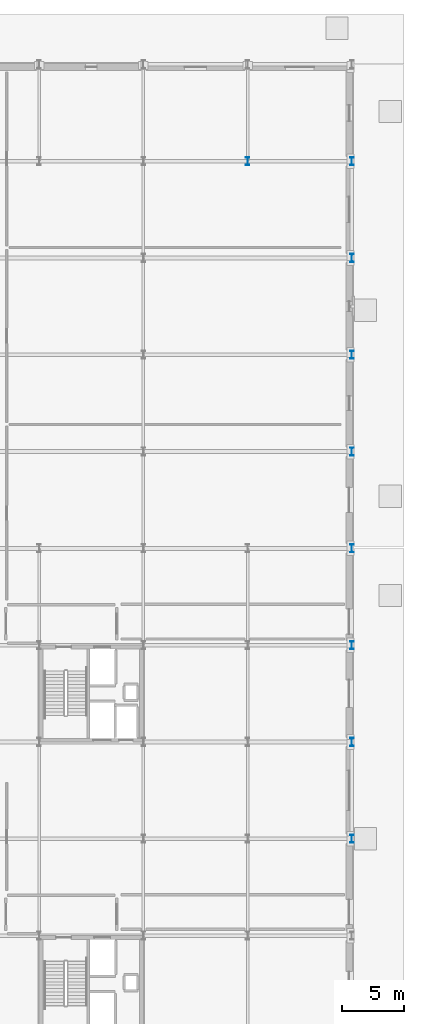
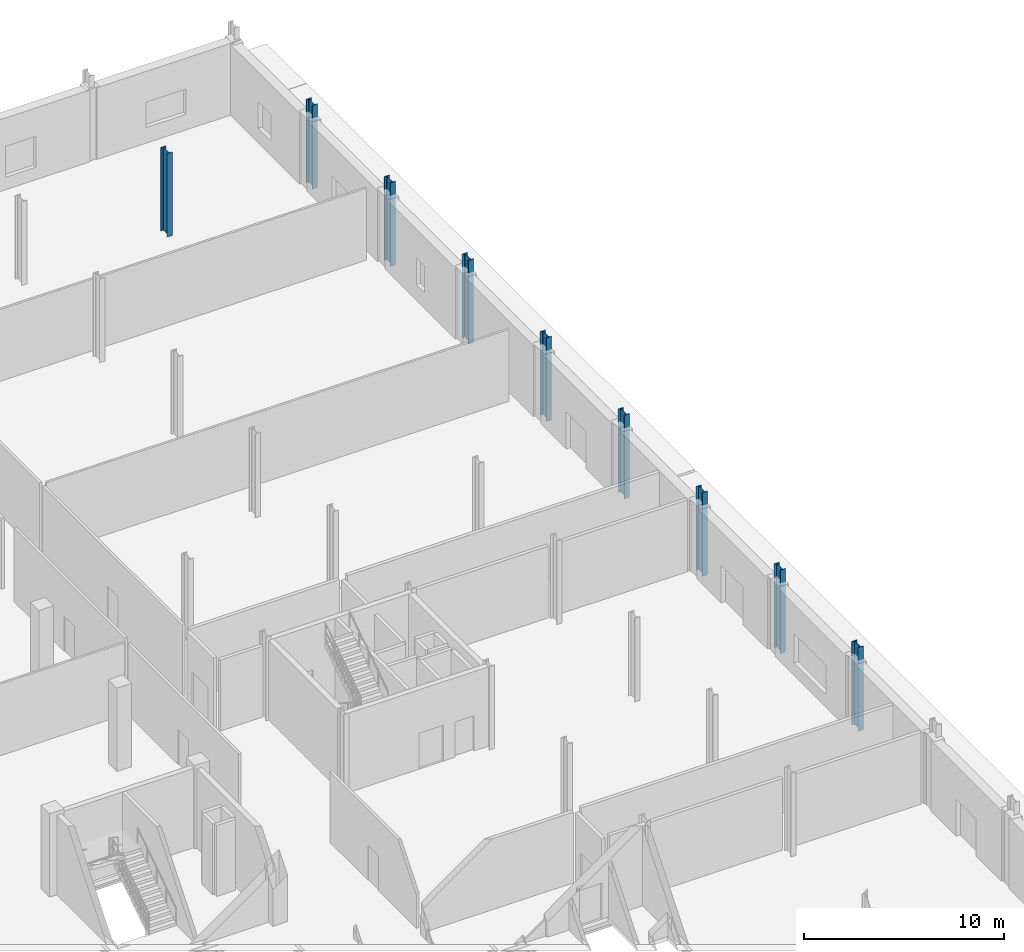
# One storey, part 18 of 80: 9 columns.
"""IFC4 building model written with IfcOpenShell, lengths in metres."""

import ifcopenshell
import ifcopenshell.guid

model = None  # the IFC model being written
_history = None  # IfcOwnerHistory: only IFC2X3 demands one
_inside = {}  # id of a spatial element -> (the spatial element, [elements in it])
_under = {}  # id of a project, library or spatial element -> (it, [spatial elements below it])
_declared = {}  # id of a project -> (the project, [libraries it declares])
_typed = {}  # id of a type object -> (the type object, [elements of that type])
_made_of = {}  # id of a material, layer set ... -> (it, [elements and type objects made of it])


def new_model(schema):
    """Start an empty IFC model of exactly this schema.

    Asked for "IFC4X3", IfcOpenShell would pick the latest addendum, in which some entities
    have other attributes; the version numbers below select the first issue.
    IFC2X3 requires an IfcOwnerHistory on every rooted entity: one is made here for all.
    """
    global model, _history
    if schema == "IFC4X3":
        model = ifcopenshell.file(schema_version=(4, 3, 0, 0))
    else:
        model = ifcopenshell.file(schema=schema)
    _inside.clear()
    _under.clear()
    _declared.clear()
    _typed.clear()
    _made_of.clear()
    _history = None
    if model.schema == "IFC2X3":
        org = make("IfcOrganization", Name="unknown")
        user = make(
            "IfcPersonAndOrganization",
            ThePerson=make("IfcPerson", FamilyName="unknown"),
            TheOrganization=org,
        )
        app = make(
            "IfcApplication",
            ApplicationDeveloper=org,
            Version="unknown",
            ApplicationFullName="unknown",
            ApplicationIdentifier="unknown",
        )
        _history = make(
            "IfcOwnerHistory",
            OwningUser=user,
            OwningApplication=app,
            ChangeAction="ADDED",
            CreationDate=0,
        )
    return model


def make(cls, **values):
    """One entity of the class cls with the attributes given. An attribute that is None is left unset."""
    return model.create_entity(
        cls, **{name: value for name, value in values.items() if value is not None}
    )


def rooted(cls, **values):
    """An entity with a GlobalId (a new one), such as an element, a storey or a relation."""
    return make(cls, GlobalId=ifcopenshell.guid.new(), OwnerHistory=_history, **values)


def si_unit(unit_type, name, prefix=None):
    """IfcSIUnit, for example si_unit("LENGTHUNIT", "METRE", prefix="MILLI")."""
    return make("IfcSIUnit", UnitType=unit_type, Prefix=prefix, Name=name)


def assignment(units):
    """IfcUnitAssignment: the units of a project."""
    return None if units is None else make("IfcUnitAssignment", Units=units)


def point(xyz):
    """IfcCartesianPoint."""
    return None if xyz is None else make("IfcCartesianPoint", Coordinates=xyz)


def direction(xyz):
    """IfcDirection."""
    return None if xyz is None else make("IfcDirection", DirectionRatios=xyz)


def frame(location, z_axis=None, x_axis=None):
    """IfcAxis2Placement3D, a coordinate frame: its origin and axes. An axis left out is left unset."""
    return make(
        "IfcAxis2Placement3D",
        Location=point(location),
        Axis=direction(z_axis),
        RefDirection=direction(x_axis),
    )


def frame_2d(location, x_axis=None):
    """IfcAxis2Placement2D, a coordinate frame in the plane: its origin and x axis."""
    return make(
        "IfcAxis2Placement2D", Location=point(location), RefDirection=direction(x_axis)
    )


def origin():
    """The frame at (0, 0, 0) with its axes left unset."""
    return frame((0.0, 0.0, 0.0))


def origin_2d():
    """The frame at (0, 0) in the plane with its x axis left unset."""
    return frame_2d((0.0, 0.0))


def place(relative_to, where):
    """IfcLocalPlacement: puts the frame where relative to a parent placement (None: the world)."""
    return make(
        "IfcLocalPlacement", PlacementRelTo=relative_to, RelativePlacement=where
    )


def context(
    kind, dimensions, precision=None, world=None, true_north=None, identifier=None
):
    """IfcGeometricRepresentationContext, for example the 3D "Model" context."""
    return make(
        "IfcGeometricRepresentationContext",
        ContextIdentifier=identifier,
        ContextType=kind,
        CoordinateSpaceDimension=dimensions,
        Precision=precision,
        WorldCoordinateSystem=world,
        TrueNorth=true_north,
    )


def subcontext(parent, identifier, kind, view, scale=None):
    """IfcGeometricRepresentationSubContext, for example "Body" below "Model"."""
    return make(
        "IfcGeometricRepresentationSubContext",
        ContextIdentifier=identifier,
        ContextType=kind,
        ParentContext=parent,
        TargetScale=scale,
        TargetView=view,
    )


def project(units=None, contexts=None):
    """IfcProject with its units and contexts."""
    return rooted(
        "IfcProject",
        Name="project",
        RepresentationContexts=contexts,
        UnitsInContext=assignment(units),
    )


def spatial(cls, under=None, at=None, **own):
    """A site, building, storey or space (cls), placed at a placement, below another one or the project."""
    s = rooted(cls, ObjectPlacement=at, **own)
    if under is not None:
        _under.setdefault(under.id(), (under, []))[1].append(s)
    return s


def profile(cls, at=None, kind="AREA", **sizes):
    """A parametric profile (cls). Its sizes go by their IFC names, for example OverallWidth=200.0."""
    return make(cls, ProfileType=kind, Position=at, **sizes)


def i_section(**sizes):
    """IfcIShapeProfileDef."""
    return profile("IfcIShapeProfileDef", **sizes)


def extrude(swept, where, along, depth):
    """IfcExtrudedAreaSolid: the profile swept, set in the frame where, extruded along a direction by depth."""
    return make(
        "IfcExtrudedAreaSolid",
        SweptArea=swept,
        Position=where,
        ExtrudedDirection=direction(along),
        Depth=depth,
    )


def shape(context_of_items, identifier, shape_type, items):
    """IfcShapeRepresentation: the items that make up one representation, for example the "Body"."""
    return make(
        "IfcShapeRepresentation",
        ContextOfItems=context_of_items,
        RepresentationIdentifier=identifier,
        RepresentationType=shape_type,
        Items=items,
    )


def material(Name=None, Category=None):
    """IfcMaterial."""
    return make("IfcMaterial", Name=Name, Category=Category)


def material_profile(
    of_material, cross_section, Name=None, Category=None, Priority=None
):
    """IfcMaterialProfile: a cross section and its material."""
    return make(
        "IfcMaterialProfile",
        Name=Name,
        Material=of_material,
        Profile=cross_section,
        Priority=Priority,
        Category=Category,
    )


def profile_set(profiles, Name=None, composite=None):
    """IfcMaterialProfileSet."""
    return make(
        "IfcMaterialProfileSet",
        Name=Name,
        MaterialProfiles=profiles,
        CompositeProfile=composite,
    )


def made_of(thing, what):
    """Note that an element or type object is made of a material, layer set ...; save() writes the relation."""
    if what is not None:
        _made_of.setdefault(what.id(), (what, []))[1].append(thing)
    return thing


def type_object(cls, material=None, **own):
    """A type object (cls), such as IfcWallType, which elements share."""
    return made_of(rooted(cls, **own), material)


def element(
    cls,
    number,
    at=None,
    inside=None,
    cuts=None,
    type_object=None,
    material=None,
    context=None,
    identifier="Body",
    shape_type=None,
    held_by="IfcProductDefinitionShape",
    body=None,
    shapes=None,
    **own,
):
    """One element of the class cls, such as IfcWall. Its Tag is "e" and its number.

    at: its placement. inside: the storey or other place that contains it. cuts: it is an
    opening in that element (IfcRelVoidsElement). A single representation is given by context,
    identifier, shape_type and body (its items); several are given by shapes. held_by: the class
    of the entity that holds the representations. save() writes the other relations.
    """
    e = rooted(cls, Tag="e%d" % number, ObjectPlacement=at, **own)
    if body is not None:
        shapes = [shape(context, identifier, shape_type, body)]
    if shapes is not None:
        e.Representation = make(held_by, Representations=shapes)
    if inside is not None:
        _inside.setdefault(inside.id(), (inside, []))[1].append(e)
    if cuts is not None:
        rooted(
            "IfcRelVoidsElement", RelatingBuildingElement=cuts, RelatedOpeningElement=e
        )
    if type_object is not None:
        _typed.setdefault(type_object.id(), (type_object, []))[1].append(e)
    return made_of(e, material)


def aggregate(whole, parts):
    """IfcRelAggregates: a whole, such as a stair, and the parts it consists of."""
    return rooted("IfcRelAggregates", RelatingObject=whole, RelatedObjects=parts)


def save(model, path):
    """Write the relations noted so far, then the file.

    IfcRelAggregates (storeys below a building ...), IfcRelContainedInSpatialStructure (elements
    in a storey), IfcRelDefinesByType, IfcRelAssociatesMaterial and IfcRelDeclares: one each for
    every whole, place, type object, material and project.
    """
    for whole, parts in _under.values():
        aggregate(whole, parts)
    for where, things in _inside.values():
        rooted(
            "IfcRelContainedInSpatialStructure",
            RelatedElements=things,
            RelatingStructure=where,
        )
    for kind, things in _typed.values():
        rooted("IfcRelDefinesByType", RelatedObjects=things, RelatingType=kind)
    for what, things in _made_of.values():
        rooted("IfcRelAssociatesMaterial", RelatedObjects=things, RelatingMaterial=what)
    for by, libraries in _declared.values():
        rooted("IfcRelDeclares", RelatingContext=by, RelatedDefinitions=libraries)
    model.write(path)


model = new_model("IFC4")

# Units and contexts
model_context = context("Model", 3, precision=1e-05, world=origin(), true_north=direction((0.0, 1.0)))
body_context = subcontext(model_context, "Body", "Model", "MODEL_VIEW")
ifc_project = project(units=[si_unit("LENGTHUNIT", "METRE"), si_unit("AREAUNIT", "SQUARE_METRE"), si_unit("VOLUMEUNIT", "CUBIC_METRE"), si_unit("PLANEANGLEUNIT", "RADIAN"), si_unit("MASSUNIT", "GRAM", prefix="KILO")], contexts=[model_context])

# Site, building, storey
site_placement = place(None, origin())
site = spatial("IfcSite", under=ifc_project, at=site_placement, CompositionType="ELEMENT")
building_placement = place(site_placement, origin())
building = spatial("IfcBuilding", under=site, at=building_placement, Name="Nabrawat Pavilion Hospital", CompositionType="ELEMENT")
storey_placement = place(building_placement, origin())
storey = spatial("IfcBuildingStorey", under=building, at=storey_placement, Name="L00", CompositionType="ELEMENT", Elevation=0.0)

# Columns
ifc_material = material(Name="Steel S355", Category="steel")
ifc_material_profile = material_profile(ifc_material, i_section(OverallWidth=0.300048828125, OverallDepth=0.64990234375, WebThickness=0.01611328125, FlangeThickness=0.031005859375, FilletRadius=0.027099609375, at=origin_2d()), Name="HEB 650")
ifc_profile_set = profile_set([ifc_material_profile], Name="Steel S355")
column_type = type_object("IfcColumnType", Name="Heavy Composite Steel Column HEB 650", PredefinedType="COLUMN", material=ifc_profile_set)
for number, where, z_axis, x_axis, name in (
    (1, (184.800048828125, 117.0, 0.0), (0.0, 0.0, 1.0), (1.0, 0.0, 0.0), "L00 Structural Column G-23-R"),
    (2, (193.199951171875, 62.39990234375, 0.0), (0.0, 0.0, 1.0), (1.0, 0.0, 0.0), "L00 Structural Column G-24-J"),
    (3, (193.199951171875, 70.199951171875, 0.0), (0.0, 0.0, 1.0), (1.0, 0.0, 0.0), "L00 Structural Column G-24-K"),
    (4, (193.199951171875, 78.0, 0.0), (0.0, 0.0, 1.0), (1.0, 0.0, 0.0), "L00 Structural Column G-24-L"),
    (5, (193.199951171875, 85.800048828125, 0.0), (0.0, 0.0, 1.0), (1.0, 0.0, 0.0), "L00 Structural Column G-24-M1"),
    (6, (193.199951171875, 93.60009765625, 0.0), (0.0, 0.0, 1.0), (1.0, 0.0, 0.0), "L00 Structural Column G-24-N"),
    (7, (193.199951171875, 101.39990234375, 0.0), (0.0, 0.0, 1.0), (1.0, 0.0, 0.0), "L00 Structural Column G-24-P"),
    (8, (193.199951171875, 109.199951171875, 0.0), (0.0, 0.0, 1.0), (1.0, 0.0, 0.0), "L00 Structural Column G-24-Q"),
    (9, (193.199951171875, 117.0, 0.0), (0.0, 0.0, 1.0), (1.0, 0.0, 0.0), "L00 Structural Column G-24-R"),
):
    element("IfcColumn", number, at=place(storey_placement, frame(where, z_axis=z_axis, x_axis=x_axis)), inside=storey, type_object=column_type, Name=name, PredefinedType="COLUMN", context=body_context, shape_type="SweptSolid", body=[
        extrude(i_section(OverallWidth=0.300048828125, OverallDepth=0.64990234375, WebThickness=0.01611328125, FlangeThickness=0.031005859375, FilletRadius=0.027099609375, at=origin_2d()), origin(), (0.0, 0.0, 1.0), 5.10009765625),
    ])

save(model, "model.ifc")
